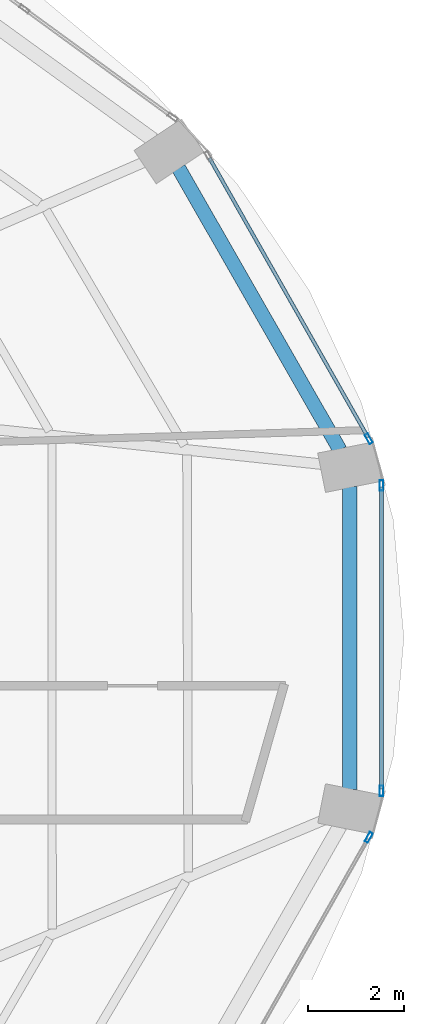
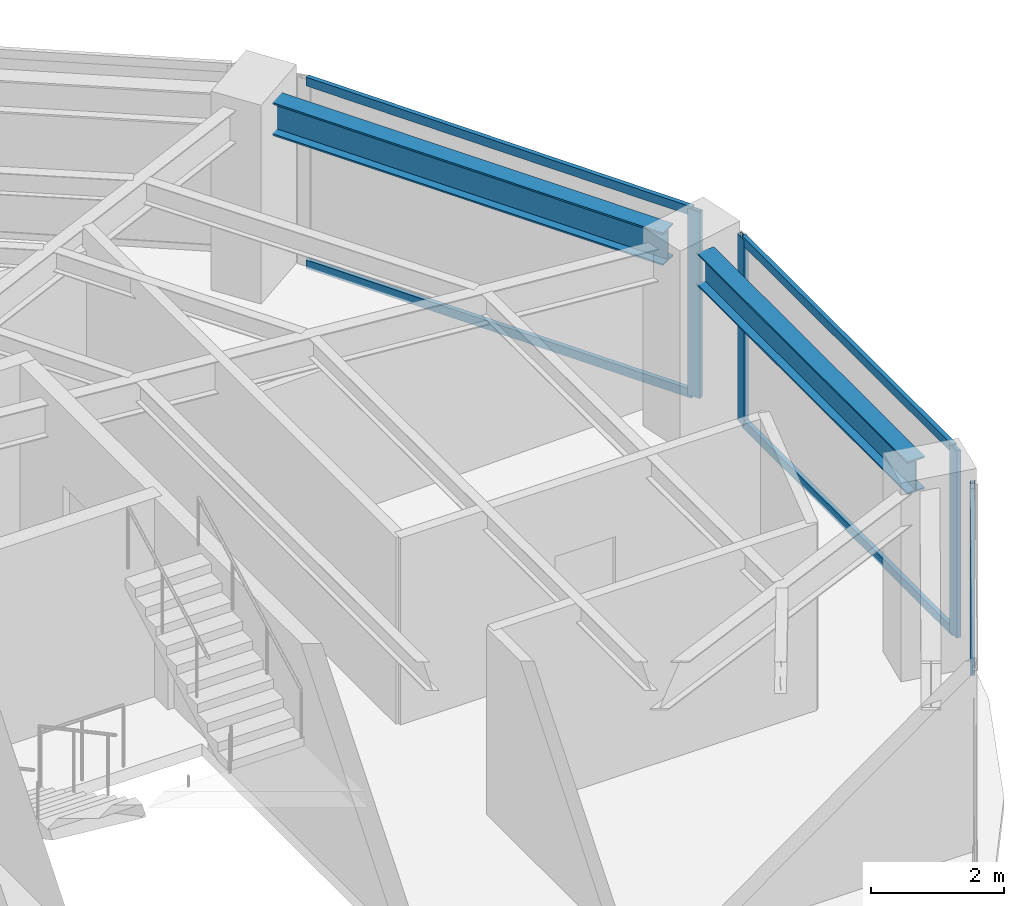
# One storey, part 13 of 23: 8 members, 2 beams, 3 elements without a shape of their own.
"""IFC4 building model written with IfcOpenShell, lengths in metres."""

from ifc_helpers import new_model, si_unit, direction, frame, origin, origin_2d, place, context, subcontext, project, spatial, hollow_rectangle, i_section, extrude, material, layer, layer_set, material_profile, profile_set, type_object, element, aggregate, save


model = new_model("IFC4")

# Units and contexts
model_context = context("Model", 3, precision=1e-05, world=origin(), true_north=direction((0.0, 1.0)))
body_context = subcontext(model_context, "Body", "Model", "MODEL_VIEW")
ifc_project = project(units=[si_unit("LENGTHUNIT", "METRE"), si_unit("AREAUNIT", "SQUARE_METRE"), si_unit("VOLUMEUNIT", "CUBIC_METRE"), si_unit("PLANEANGLEUNIT", "RADIAN"), si_unit("MASSUNIT", "GRAM", prefix="KILO")], contexts=[model_context])

# Site, building, storey
site_placement = place(None, origin())
site = spatial("IfcSite", under=ifc_project, at=site_placement, CompositionType="ELEMENT")
building_placement = place(site_placement, origin())
building = spatial("IfcBuilding", under=site, at=building_placement, Name="Lazwardi Medical Tower", CompositionType="ELEMENT")
storey_placement = place(building_placement, frame((0.0, 0.0, 89.0400390625)))
storey = spatial("IfcBuildingStorey", under=building, at=storey_placement, Name="L22", CompositionType="ELEMENT", Elevation=89.0400390625)

# Beams
ifc_material_1 = material(Name="Steel S355", Category="steel")
ifc_material_profile_1 = material_profile(ifc_material_1, i_section(OverallWidth=0.300048828125, OverallDepth=0.60009765625, WebThickness=0.015380859375, FlangeThickness=0.030029296875, at=origin_2d()), Name="HEB 600")
ifc_profile_set_1 = profile_set([ifc_material_profile_1], Name="Steel S355")
beam_type = type_object("IfcBeamType", Name="BM-RB-Z2", PredefinedType="BEAM", material=ifc_profile_set_1)
beam_1_placement = place(storey_placement, frame((60.86279296875, 27.22998046875, 3.1279296875), z_axis=(0.0, 1.0, 0.0), x_axis=(-1.0, 0.0, 0.0)))
element("IfcBeam", 1, at=beam_1_placement, inside=storey, type_object=beam_type, Name="Ring beam RB-03 B04 L22", PredefinedType="BEAM", context=body_context, shape_type="SweptSolid", body=[
    extrude(i_section(OverallWidth=0.300048828125, OverallDepth=0.60009765625, WebThickness=0.015380859375, FlangeThickness=0.030029296875, at=origin_2d()), origin(), (0.0, 0.0, 1.0), 6.33984375),
])
beam_2_placement = place(storey_placement, frame((60.6591796875, 34.335693359375, 3.1279296875), z_axis=(-0.496637551254, 0.867958030486, 0.0), x_axis=(-0.867958030486, -0.496637551254, 0.0)))
element("IfcBeam", 2, at=beam_2_placement, inside=storey, type_object=beam_type, Name="Ring beam RB-03 B05 L22", PredefinedType="BEAM", context=body_context, shape_type="SweptSolid", body=[
    extrude(i_section(OverallWidth=0.300048828125, OverallDepth=0.60009765625, WebThickness=0.015380859375, FlangeThickness=0.030029296875, at=origin_2d()), origin(), (0.0, 0.0, 1.0), 6.801025390625),
])

# Curtain wall, member
ifc_material_2 = material(Name="Anodised bronze aluminium and solar control glazing", Category="aluminium")
ifc_layer = layer(ifc_material_2, 0.195068359375)
ifc_layer_set = layer_set([ifc_layer], Name="Anodised bronze aluminium and solar control glazing")
curtain_wall_type = type_object("IfcCurtainWallType", Name="CW-SYS-03", PredefinedType="NOTDEFINED", material=ifc_layer_set)
curtain_wall_1_placement = place(storey_placement, origin())
curtain_wall_1 = element("IfcCurtainWall", 3, at=curtain_wall_1_placement, inside=storey, type_object=curtain_wall_type, Name="L22 Unitised bronze curtain wall CW-03", PredefinedType="NOTDEFINED")
ifc_material_3 = material(Name="Anodised bronze aluminium", Category="aluminium")
ifc_material_profile_2 = material_profile(ifc_material_3, hollow_rectangle(XDim=0.074951171875, YDim=0.219970703125, WallThickness=0.00390625, at=origin_2d()), Name="ALU-MULLION 220x75x4")
ifc_profile_set_2 = profile_set([ifc_material_profile_2], Name="Anodised bronze aluminium")
member_type_1 = type_object("IfcMemberType", Name="CW-MUL-01", PredefinedType="MULLION", material=ifc_profile_set_2)
member_1_placement = place(storey_placement, frame((61.2626953125, 26.22607421875, 0.0), z_axis=(0.0, 0.0, 1.0), x_axis=(-0.869687265712, 0.493603140041, 0.0)))
member_1 = element("IfcMember", 4, at=member_1_placement, type_object=member_type_1, Name="CW-03 mullion 2", PredefinedType="MULLION", context=body_context, shape_type="SweptSolid", body=[
    extrude(hollow_rectangle(XDim=0.074951171875, YDim=0.219970703125, WallThickness=0.00390625, at=origin_2d()), origin(), (0.0, 0.0, 1.0), 3.427978515625),
])
aggregate(curtain_wall_1, [member_1])

# Curtain wall, members
curtain_wall_2_placement = place(storey_placement, origin())
curtain_wall_2 = element("IfcCurtainWall", 5, at=curtain_wall_2_placement, inside=storey, type_object=curtain_wall_type, Name="L22 Unitised bronze curtain wall CW-03", PredefinedType="NOTDEFINED")
member_2_placement = place(storey_placement, frame((61.528076171875, 27.20263671875, 0.0), z_axis=(0.0, 0.0, 1.0), x_axis=(-1.0, 0.0, 0.0)))
member_2 = element("IfcMember", 6, at=member_2_placement, type_object=member_type_1, Name="CW-03 mullion 1", PredefinedType="MULLION", context=body_context, shape_type="SweptSolid", body=[
    extrude(hollow_rectangle(XDim=0.074951171875, YDim=0.219970703125, WallThickness=0.00390625, at=origin_2d()), origin(), (0.0, 0.0, 1.0), 3.427978515625),
])
member_3_placement = place(storey_placement, frame((61.528076171875, 33.597412109375, 0.0), z_axis=(0.0, 0.0, 1.0), x_axis=(-1.0, 0.0, 0.0)))
member_3 = element("IfcMember", 7, at=member_3_placement, type_object=member_type_1, Name="CW-03 mullion 2", PredefinedType="MULLION", context=body_context, shape_type="SweptSolid", body=[
    extrude(hollow_rectangle(XDim=0.074951171875, YDim=0.219970703125, WallThickness=0.00390625, at=origin_2d()), origin(), (0.0, 0.0, 1.0), 3.427978515625),
])

# Curtain wall, member
curtain_wall_3_placement = place(storey_placement, origin())
curtain_wall_3 = element("IfcCurtainWall", 8, at=curtain_wall_3_placement, inside=storey, type_object=curtain_wall_type, Name="L22 Unitised bronze curtain wall CW-03", PredefinedType="NOTDEFINED")
member_4_placement = place(storey_placement, frame((61.2626953125, 34.57373046875, 0.0), z_axis=(0.0, 0.0, 1.0), x_axis=(-0.869687265712, -0.493603140041, 0.0)))
member_4 = element("IfcMember", 9, at=member_4_placement, type_object=member_type_1, Name="CW-03 mullion 1", PredefinedType="MULLION", context=body_context, shape_type="SweptSolid", body=[
    extrude(hollow_rectangle(XDim=0.074951171875, YDim=0.219970703125, WallThickness=0.00390625, at=origin_2d()), origin(), (0.0, 0.0, 1.0), 3.427978515625),
])

# Member
ifc_material_profile_3 = material_profile(ifc_material_3, hollow_rectangle(XDim=0.074951171875, YDim=0.159912109375, WallThickness=0.00390625, at=origin_2d()), Name="ALU-TRANSOM 160x75x4")
ifc_profile_set_3 = profile_set([ifc_material_profile_3], Name="Anodised bronze aluminium")
member_type_2 = type_object("IfcMemberType", Name="CW-TRN-01", PredefinedType="USERDEFINED", material=ifc_profile_set_3)
member_5_placement = place(storey_placement, frame((61.528076171875, 27.239990234375, 0.037353515625), z_axis=(0.0, 1.0, 0.0), x_axis=(-1.0, 0.0, 0.0)))
member_5 = element("IfcMember", 10, at=member_5_placement, type_object=member_type_2, Name="CW-03 transom 1.1", ObjectType="TRANSOM", PredefinedType="USERDEFINED", context=body_context, shape_type="SweptSolid", body=[
    extrude(hollow_rectangle(XDim=0.074951171875, YDim=0.159912109375, WallThickness=0.00390625, at=origin_2d()), origin(), (0.0, 0.0, 1.0), 6.31982421875),
])

member_6_placement = place(storey_placement, frame((61.528076171875, 27.239990234375, 3.390380859375), z_axis=(0.0, 1.0, 0.0), x_axis=(-1.0, 0.0, 0.0)))
member_6 = element("IfcMember", 11, at=member_6_placement, type_object=member_type_2, Name="CW-03 transom 1.2", ObjectType="TRANSOM", PredefinedType="USERDEFINED", context=body_context, shape_type="SweptSolid", body=[
    extrude(hollow_rectangle(XDim=0.074951171875, YDim=0.159912109375, WallThickness=0.00390625, at=origin_2d()), origin(), (0.0, 0.0, 1.0), 6.31982421875),
])

aggregate(curtain_wall_2, [member_2, member_3, member_5, member_6])

member_7_placement = place(storey_placement, frame((61.244140625, 34.6064453125, 0.037353515625), z_axis=(-0.493614427365, 0.869680859337, 0.0), x_axis=(-0.869680859337, -0.493614427365, 0.0)))
member_7 = element("IfcMember", 12, at=member_7_placement, type_object=member_type_2, Name="CW-03 transom 1.1", ObjectType="TRANSOM", PredefinedType="USERDEFINED", context=body_context, shape_type="SweptSolid", body=[
    extrude(hollow_rectangle(XDim=0.074951171875, YDim=0.159912109375, WallThickness=0.00390625, at=origin_2d()), origin(), (0.0, 0.0, 1.0), 6.72314453125),
])

member_8_placement = place(storey_placement, frame((61.244140625, 34.6064453125, 3.390380859375), z_axis=(-0.493614427365, 0.869680859337, 0.0), x_axis=(-0.869680859337, -0.493614427365, 0.0)))
member_8 = element("IfcMember", 13, at=member_8_placement, type_object=member_type_2, Name="CW-03 transom 1.2", ObjectType="TRANSOM", PredefinedType="USERDEFINED", context=body_context, shape_type="SweptSolid", body=[
    extrude(hollow_rectangle(XDim=0.074951171875, YDim=0.159912109375, WallThickness=0.00390625, at=origin_2d()), origin(), (0.0, 0.0, 1.0), 6.72314453125),
])

aggregate(curtain_wall_3, [member_4, member_7, member_8])

save(model, "model.ifc")
